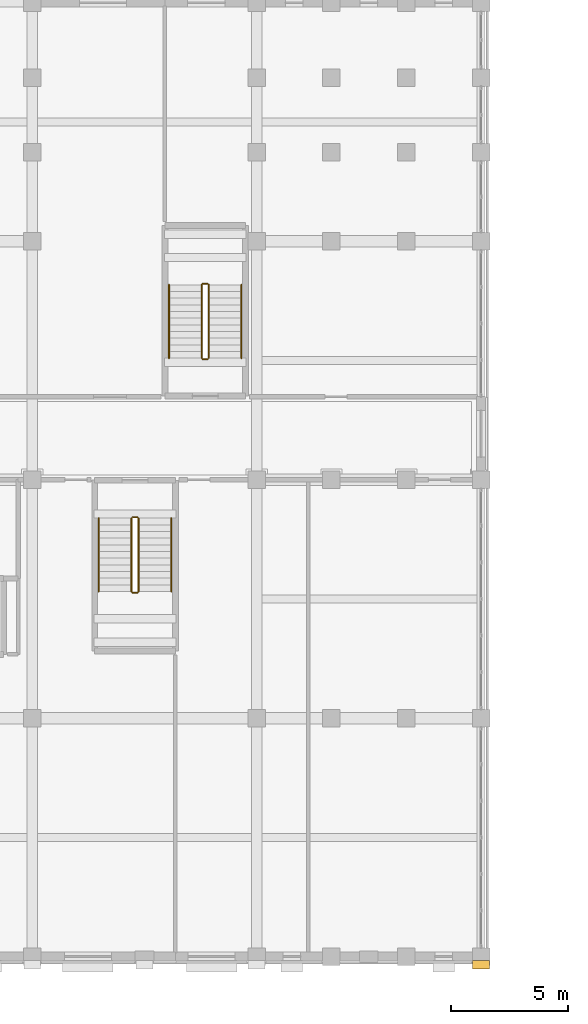
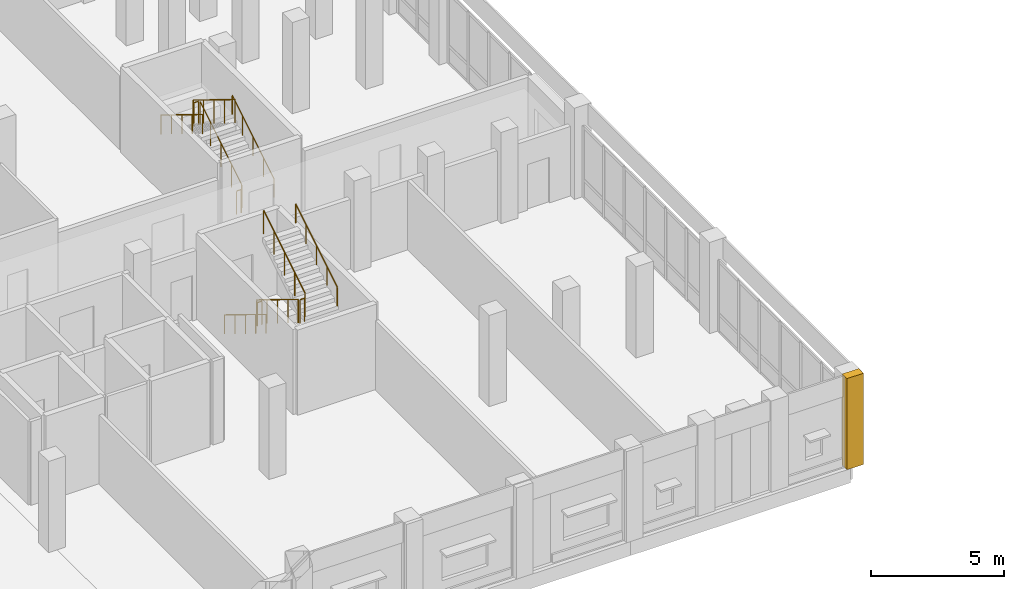
# One storey, part 155 of 170: 12 railings, 1 covering.
"""IFC4 building model written with IfcOpenShell, lengths in metres."""

from ifc_helpers import new_model, si_unit, direction, frame, origin, origin_2d, place, context, subcontext, project, spatial, rectangle, circle, extrude, material, layer, layer_set, type_object, element, save


model = new_model("IFC4")

# Units and contexts
model_context = context("Model", 3, precision=1e-05, world=origin(), true_north=direction((0.0, 1.0)))
body_context = subcontext(model_context, "Body", "Model", "MODEL_VIEW")
ifc_project = project(units=[si_unit("LENGTHUNIT", "METRE"), si_unit("AREAUNIT", "SQUARE_METRE"), si_unit("VOLUMEUNIT", "CUBIC_METRE"), si_unit("PLANEANGLEUNIT", "RADIAN"), si_unit("MASSUNIT", "GRAM", prefix="KILO")], contexts=[model_context])

# Site, building, storey
site_placement = place(None, origin())
site = spatial("IfcSite", under=ifc_project, at=site_placement, CompositionType="ELEMENT")
building_placement = place(site_placement, origin())
building = spatial("IfcBuilding", under=site, at=building_placement, Name="Vondelvale Polytechnic", CompositionType="ELEMENT")
storey_placement = place(building_placement, frame((0.0, 0.0, 5.39990234375)))
storey = spatial("IfcBuildingStorey", under=building, at=storey_placement, Name="L01", CompositionType="ELEMENT", Elevation=5.39990234375)

# Covering
ifc_material_1 = material(Name="Amsterdam School iron-spot clinker clay brickwork", Category="masonry")
ifc_layer_1 = layer(ifc_material_1, 0.090087890625)
ifc_layer_set_1 = layer_set([ifc_layer_1], Name="COV-BRICK-RELIEF")
covering_type = type_object("IfcCoveringType", Name="COV-BRICK-RELIEF", PredefinedType="CLADDING", material=ifc_layer_set_1)
covering_placement = place(storey_placement, frame((48.0, -0.340087890625, 0.0), z_axis=(0.0, 0.0, 1.0), x_axis=(1.0, 0.0, 0.0)))
element("IfcCovering", 1, at=covering_placement, inside=storey, type_object=covering_type, Name="L01 Classical street pilaster", PredefinedType="CLADDING", context=body_context, shape_type="SweptSolid", body=[
    extrude(rectangle(XDim=0.719970703125, YDim=0.360107421875, at=origin_2d()), origin(), (0.0, 0.0, 1.0), 4.199951171875),
])

# Railings
ifc_material_2 = material(Name="Brushed architectural stainless and zinc-coated metal")
ifc_layer_2 = layer(ifc_material_2, 0.050048828125)
ifc_layer_set_2 = layer_set([ifc_layer_2], Name="RL-STAIR-GUARD")
railing_type_1 = type_object("IfcRailingType", Name="RL-STAIR-GUARD", PredefinedType="GUARDRAIL", material=ifc_layer_set_2)
railing_1_placement = place(storey_placement, frame((33.050048828125, 18.75, 0.175048828125)))
element("IfcRailing", 2, at=railing_1_placement, inside=storey, type_object=railing_type_1, Name="L01 ST-04 stair guard 1", PredefinedType="GUARDRAIL", context=body_context, shape_type="SweptSolid", body=[
    extrude(circle(Radius=0.02392578125, at=origin_2d()), frame((0.0, 0.0, 1.076171875), z_axis=(0.0, -0.852166034122, 0.523271488128), x_axis=(1.0, 0.0, 0.0)), (0.0, 0.0, 1.0), 3.678955078125),
    extrude(circle(Radius=0.02099609375, at=origin_2d()), origin(), (0.0, 0.0, 1.0), 1.052001953125),
    extrude(circle(Radius=0.02099609375, at=origin_2d()), frame((0.0, -0.78369140625, 0.481201171875)), (0.0, 0.0, 1.0), 1.052001953125),
    extrude(circle(Radius=0.02099609375, at=origin_2d()), frame((0.0, -1.5673828125, 0.96240234375)), (0.0, 0.0, 1.0), 1.052001953125),
    extrude(circle(Radius=0.02099609375, at=origin_2d()), frame((0.0, -2.351318359375, 1.44384765625)), (0.0, 0.0, 1.0), 1.052001953125),
    extrude(circle(Radius=0.02099609375, at=origin_2d()), frame((0.0, -3.135009765625, 1.925048828125)), (0.0, 0.0, 1.0), 1.052001953125),
])
railing_2_placement = place(storey_placement, frame((33.10009765625, 15.56494140625, 2.10009765625)))
element("IfcRailing", 3, at=railing_2_placement, inside=storey, type_object=railing_type_1, Name="L01 ST-04 stair guard 2", PredefinedType="GUARDRAIL", context=body_context, shape_type="SweptSolid", body=[
    extrude(circle(Radius=0.02392578125, at=origin_2d()), frame((0.0, 0.0, 1.076171875), z_axis=(1.0, 0.0, 0.0), x_axis=(0.0, 1.0, 0.0)), (0.0, 0.0, 1.0), 0.199951171875),
    extrude(circle(Radius=0.02099609375, at=origin_2d()), origin(), (0.0, 0.0, 1.0), 1.052001953125),
    extrude(circle(Radius=0.02099609375, at=origin_2d()), frame((0.199951171875, 0.0, 0.0)), (0.0, 0.0, 1.0), 1.052001953125),
])
railing_3_placement = place(storey_placement, frame((33.35009765625, 15.614990234375, 2.275146484375)))
element("IfcRailing", 4, at=railing_3_placement, inside=storey, type_object=railing_type_1, Name="L01 ST-04 stair guard 3", PredefinedType="GUARDRAIL", context=body_context, shape_type="SweptSolid", body=[
    extrude(circle(Radius=0.02392578125, at=origin_2d()), frame((0.0, 0.0, 1.076171875), z_axis=(0.0, 0.852166034122, 0.523271488128), x_axis=(-1.0, 0.0, 0.0)), (0.0, 0.0, 1.0), 3.678955078125),
    extrude(circle(Radius=0.02099609375, at=origin_2d()), origin(), (0.0, 0.0, 1.0), 1.052001953125),
    extrude(circle(Radius=0.02099609375, at=origin_2d()), frame((0.0, 0.78369140625, 0.481201171875)), (0.0, 0.0, 1.0), 1.052001953125),
    extrude(circle(Radius=0.02099609375, at=origin_2d()), frame((0.0, 1.5673828125, 0.96240234375)), (0.0, 0.0, 1.0), 1.052001953125),
    extrude(circle(Radius=0.02099609375, at=origin_2d()), frame((0.0, 2.351318359375, 1.44384765625)), (0.0, 0.0, 1.0), 1.052001953125),
    extrude(circle(Radius=0.02099609375, at=origin_2d()), frame((0.0, 3.135009765625, 1.925048828125)), (0.0, 0.0, 1.0), 1.052001953125),
])
railing_4_placement = place(storey_placement, frame((33.10009765625, 18.800048828125, 0.0)))
element("IfcRailing", 5, at=railing_4_placement, inside=storey, type_object=railing_type_1, Name="L01 ST-04 stair guard 4", PredefinedType="GUARDRAIL", context=body_context, shape_type="SweptSolid", body=[
    extrude(circle(Radius=0.02392578125, at=origin_2d()), frame((0.0, 0.0, 1.076171875), z_axis=(1.0, 0.0, 0.0), x_axis=(0.0, 1.0, 0.0)), (0.0, 0.0, 1.0), 0.199951171875),
    extrude(circle(Radius=0.02099609375, at=origin_2d()), origin(), (0.0, 0.0, 1.0), 1.052001953125),
    extrude(circle(Radius=0.02099609375, at=origin_2d()), frame((0.199951171875, 0.0, 0.0)), (0.0, 0.0, 1.0), 1.052001953125),
])
railing_5_placement = place(storey_placement, frame((36.35009765625, 25.60009765625, 0.175048828125)))
element("IfcRailing", 6, at=railing_5_placement, inside=storey, type_object=railing_type_1, Name="L01 ST-05 stair guard 1", PredefinedType="GUARDRAIL", context=body_context, shape_type="SweptSolid", body=[
    extrude(circle(Radius=0.02392578125, at=origin_2d()), frame((0.0, 0.0, 1.076171875), z_axis=(0.0, 0.852166034122, 0.523271488128), x_axis=(-1.0, 0.0, 0.0)), (0.0, 0.0, 1.0), 3.678955078125),
    extrude(circle(Radius=0.02099609375, at=origin_2d()), origin(), (0.0, 0.0, 1.0), 1.052001953125),
    extrude(circle(Radius=0.02099609375, at=origin_2d()), frame((0.0, 0.78369140625, 0.481201171875)), (0.0, 0.0, 1.0), 1.052001953125),
    extrude(circle(Radius=0.02099609375, at=origin_2d()), frame((0.0, 1.5673828125, 0.96240234375)), (0.0, 0.0, 1.0), 1.052001953125),
    extrude(circle(Radius=0.02099609375, at=origin_2d()), frame((0.0, 2.351318359375, 1.44384765625)), (0.0, 0.0, 1.0), 1.052001953125),
    extrude(circle(Radius=0.02099609375, at=origin_2d()), frame((0.0, 3.135009765625, 1.925048828125)), (0.0, 0.0, 1.0), 1.052001953125),
])
railing_6_placement = place(storey_placement, frame((36.300048828125, 28.784912109375, 2.10009765625)))
element("IfcRailing", 7, at=railing_6_placement, inside=storey, type_object=railing_type_1, Name="L01 ST-05 stair guard 2", PredefinedType="GUARDRAIL", context=body_context, shape_type="SweptSolid", body=[
    extrude(circle(Radius=0.02392578125, at=origin_2d()), frame((0.0, 0.0, 1.076171875), z_axis=(-1.0, 0.0, 0.0), x_axis=(0.0, -1.0, 0.0)), (0.0, 0.0, 1.0), 0.199951171875),
    extrude(circle(Radius=0.02099609375, at=origin_2d()), origin(), (0.0, 0.0, 1.0), 1.052001953125),
    extrude(circle(Radius=0.02099609375, at=origin_2d()), frame((-0.199951171875, 0.0, 0.0)), (0.0, 0.0, 1.0), 1.052001953125),
])
railing_7_placement = place(storey_placement, frame((36.050048828125, 28.735107421875, 2.275146484375)))
element("IfcRailing", 8, at=railing_7_placement, inside=storey, type_object=railing_type_1, Name="L01 ST-05 stair guard 3", PredefinedType="GUARDRAIL", context=body_context, shape_type="SweptSolid", body=[
    extrude(circle(Radius=0.02392578125, at=origin_2d()), frame((0.0, 0.0, 1.076171875), z_axis=(0.0, -0.852166034122, 0.523271488128), x_axis=(1.0, 0.0, 0.0)), (0.0, 0.0, 1.0), 3.678955078125),
    extrude(circle(Radius=0.02099609375, at=origin_2d()), origin(), (0.0, 0.0, 1.0), 1.052001953125),
    extrude(circle(Radius=0.02099609375, at=origin_2d()), frame((0.0, -0.78369140625, 0.481201171875)), (0.0, 0.0, 1.0), 1.052001953125),
    extrude(circle(Radius=0.02099609375, at=origin_2d()), frame((0.0, -1.5673828125, 0.96240234375)), (0.0, 0.0, 1.0), 1.052001953125),
    extrude(circle(Radius=0.02099609375, at=origin_2d()), frame((0.0, -2.351318359375, 1.44384765625)), (0.0, 0.0, 1.0), 1.052001953125),
    extrude(circle(Radius=0.02099609375, at=origin_2d()), frame((0.0, -3.135009765625, 1.925048828125)), (0.0, 0.0, 1.0), 1.052001953125),
])
railing_8_placement = place(storey_placement, frame((36.300048828125, 25.550048828125, 0.0)))
element("IfcRailing", 9, at=railing_8_placement, inside=storey, type_object=railing_type_1, Name="L01 ST-05 stair guard 4", PredefinedType="GUARDRAIL", context=body_context, shape_type="SweptSolid", body=[
    extrude(circle(Radius=0.02392578125, at=origin_2d()), frame((0.0, 0.0, 1.076171875), z_axis=(-1.0, 0.0, 0.0), x_axis=(0.0, -1.0, 0.0)), (0.0, 0.0, 1.0), 0.199951171875),
    extrude(circle(Radius=0.02099609375, at=origin_2d()), origin(), (0.0, 0.0, 1.0), 1.052001953125),
    extrude(circle(Radius=0.02099609375, at=origin_2d()), frame((-0.199951171875, 0.0, 0.0)), (0.0, 0.0, 1.0), 1.052001953125),
])
ifc_layer_3 = layer(ifc_material_2, 0.048095703125)
ifc_layer_set_3 = layer_set([ifc_layer_3], Name="RL-STAIR-HANDRAIL")
railing_type_2 = type_object("IfcRailingType", Name="RL-STAIR-HANDRAIL", PredefinedType="HANDRAIL", material=ifc_layer_set_3)
railing_9_placement = place(storey_placement, frame((31.64990234375, 18.75, 0.175048828125)))
element("IfcRailing", 10, at=railing_9_placement, inside=storey, type_object=railing_type_2, Name="L01 ST-04 stair handrail 1", PredefinedType="HANDRAIL", context=body_context, shape_type="SweptSolid", body=[
    extrude(circle(Radius=0.02392578125, at=origin_2d()), frame((0.0, 0.0, 0.8759765625), z_axis=(0.0, -0.852166034122, 0.523271488128), x_axis=(1.0, 0.0, 0.0)), (0.0, 0.0, 1.0), 3.678955078125),
    extrude(circle(Radius=0.02099609375, at=origin_2d()), origin(), (0.0, 0.0, 1.0), 0.851806640625),
    extrude(circle(Radius=0.02099609375, at=origin_2d()), frame((0.0, -0.78369140625, 0.481201171875)), (0.0, 0.0, 1.0), 0.851806640625),
    extrude(circle(Radius=0.02099609375, at=origin_2d()), frame((0.0, -1.5673828125, 0.96240234375)), (0.0, 0.0, 1.0), 0.851806640625),
    extrude(circle(Radius=0.02099609375, at=origin_2d()), frame((0.0, -2.351318359375, 1.44384765625)), (0.0, 0.0, 1.0), 0.851806640625),
    extrude(circle(Radius=0.02099609375, at=origin_2d()), frame((0.0, -3.135009765625, 1.925048828125)), (0.0, 0.0, 1.0), 0.851806640625),
])
for number, where, name in (
    (11, (34.75, 15.614990234375, 2.275146484375), "L01 ST-04 stair handrail 2"),
    (12, (37.75, 25.60009765625, 0.175048828125), "L01 ST-05 stair handrail 1"),
):
    element("IfcRailing", number, at=place(storey_placement, frame(where)), inside=storey, type_object=railing_type_2, Name=name, PredefinedType="HANDRAIL", context=body_context, shape_type="SweptSolid", body=[
        extrude(circle(Radius=0.02392578125, at=origin_2d()), frame((0.0, 0.0, 0.8759765625), z_axis=(0.0, 0.852166034122, 0.523271488128), x_axis=(-1.0, 0.0, 0.0)), (0.0, 0.0, 1.0), 3.678955078125),
        extrude(circle(Radius=0.02099609375, at=origin_2d()), origin(), (0.0, 0.0, 1.0), 0.851806640625),
        extrude(circle(Radius=0.02099609375, at=origin_2d()), frame((0.0, 0.78369140625, 0.481201171875)), (0.0, 0.0, 1.0), 0.851806640625),
        extrude(circle(Radius=0.02099609375, at=origin_2d()), frame((0.0, 1.5673828125, 0.96240234375)), (0.0, 0.0, 1.0), 0.851806640625),
        extrude(circle(Radius=0.02099609375, at=origin_2d()), frame((0.0, 2.351318359375, 1.44384765625)), (0.0, 0.0, 1.0), 0.851806640625),
        extrude(circle(Radius=0.02099609375, at=origin_2d()), frame((0.0, 3.135009765625, 1.925048828125)), (0.0, 0.0, 1.0), 0.851806640625),
    ])
railing_10_placement = place(storey_placement, frame((34.64990234375, 28.735107421875, 2.275146484375)))
element("IfcRailing", 13, at=railing_10_placement, inside=storey, type_object=railing_type_2, Name="L01 ST-05 stair handrail 2", PredefinedType="HANDRAIL", context=body_context, shape_type="SweptSolid", body=[
    extrude(circle(Radius=0.02392578125, at=origin_2d()), frame((0.0, 0.0, 0.8759765625), z_axis=(0.0, -0.852166034122, 0.523271488128), x_axis=(1.0, 0.0, 0.0)), (0.0, 0.0, 1.0), 3.678955078125),
    extrude(circle(Radius=0.02099609375, at=origin_2d()), origin(), (0.0, 0.0, 1.0), 0.851806640625),
    extrude(circle(Radius=0.02099609375, at=origin_2d()), frame((0.0, -0.78369140625, 0.481201171875)), (0.0, 0.0, 1.0), 0.851806640625),
    extrude(circle(Radius=0.02099609375, at=origin_2d()), frame((0.0, -1.5673828125, 0.96240234375)), (0.0, 0.0, 1.0), 0.851806640625),
    extrude(circle(Radius=0.02099609375, at=origin_2d()), frame((0.0, -2.351318359375, 1.44384765625)), (0.0, 0.0, 1.0), 0.851806640625),
    extrude(circle(Radius=0.02099609375, at=origin_2d()), frame((0.0, -3.135009765625, 1.925048828125)), (0.0, 0.0, 1.0), 0.851806640625),
])

save(model, "model.ifc")
